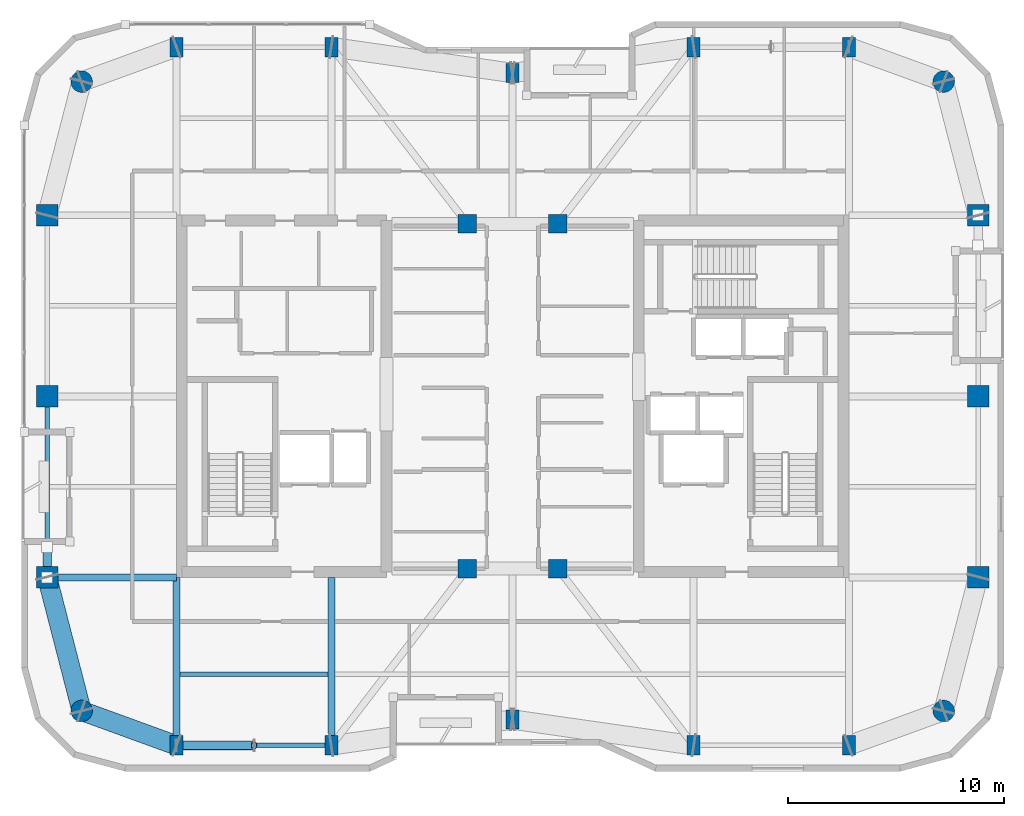
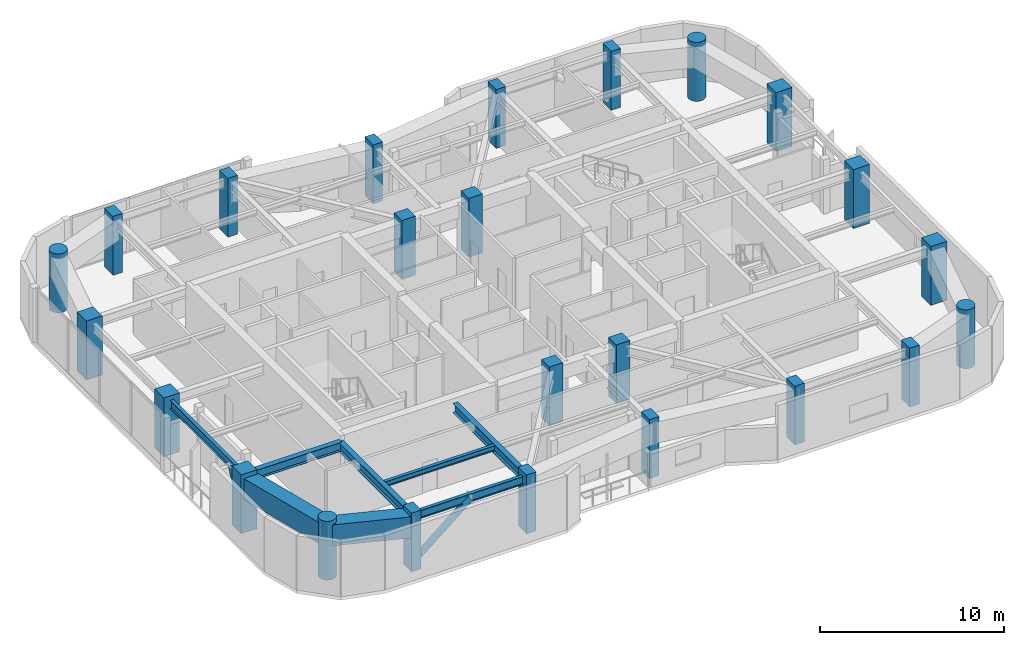
# One storey, part 1 of 15: 24 columns, 8 beams, 2 members.
"""IFC4 building model written with IfcOpenShell, lengths in metres."""

from ifc_helpers import new_model, si_unit, direction, frame, origin, origin_2d, place, context, subcontext, project, spatial, rectangle, hollow_rectangle, circle, hollow_circle, i_section, extrude, material, material_profile, profile_set, type_object, element, save


model = new_model("IFC4")

# Units and contexts
model_context = context("Model", 3, precision=1e-05, world=origin(), true_north=direction((0.0, 1.0)))
body_context = subcontext(model_context, "Body", "Model", "MODEL_VIEW")
ifc_project = project(units=[si_unit("LENGTHUNIT", "METRE"), si_unit("AREAUNIT", "SQUARE_METRE"), si_unit("VOLUMEUNIT", "CUBIC_METRE"), si_unit("PLANEANGLEUNIT", "RADIAN"), si_unit("MASSUNIT", "GRAM", prefix="KILO")], contexts=[model_context])

# Site, building, storey
site_placement = place(None, origin())
site = spatial("IfcSite", under=ifc_project, at=site_placement, CompositionType="ELEMENT")
building_placement = place(site_placement, origin())
building = spatial("IfcBuilding", under=site, at=building_placement, Name="Kiyonajd Concourse Tower", CompositionType="ELEMENT")
storey_placement = place(building_placement, frame((0.0, 0.0, 278.39990234375)))
storey = spatial("IfcBuildingStorey", under=building, at=storey_placement, Name="L70", CompositionType="ELEMENT", Elevation=278.39990234375)

# Columns
ifc_material_1 = material(Name="Concrete C60/75", Category="concrete")
ifc_material_profile_1 = material_profile(ifc_material_1, rectangle(XDim=0.60009765625, YDim=0.89990234375, at=origin_2d()), Name="RC-900x600")
ifc_profile_set_1 = profile_set([ifc_material_profile_1], Name="Concrete C60/75")
column_type_1 = type_object("IfcColumnType", Name="CL-BLADE-900", PredefinedType="COLUMN", material=ifc_profile_set_1)
for number, where, z_axis, x_axis, name in (
    (1, (32.39990234375, 19.800048828125, 0.0), (0.0, 0.0, 1.0), (1.0, 0.0, 0.0), "L70 Perimeter Bundled Tube Column"),
    (2, (32.39990234375, 52.199951171875, 0.0), (0.0, 0.0, 1.0), (1.0, 0.0, 0.0), "L70 Perimeter Bundled Tube Column"),
    (3, (39.60009765625, 19.800048828125, 0.0), (0.0, 0.0, 1.0), (1.0, 0.0, 0.0), "L70 Perimeter Bundled Tube Column"),
    (4, (39.60009765625, 52.199951171875, 0.0), (0.0, 0.0, 1.0), (1.0, 0.0, 0.0), "L70 Perimeter Bundled Tube Column"),
    (5, (48.0, 21.0, 0.0), (0.0, 0.0, 1.0), (1.0, 0.0, 0.0), "L70 Perimeter Bundled Tube Column"),
    (6, (48.0, 51.0, 0.0), (0.0, 0.0, 1.0), (1.0, 0.0, 0.0), "L70 Perimeter Bundled Tube Column"),
    (7, (56.39990234375, 19.800048828125, 0.0), (0.0, 0.0, 1.0), (1.0, 0.0, 0.0), "L70 Perimeter Bundled Tube Column"),
    (8, (56.39990234375, 52.199951171875, 0.0), (0.0, 0.0, 1.0), (1.0, 0.0, 0.0), "L70 Perimeter Bundled Tube Column"),
    (9, (63.60009765625, 19.800048828125, 0.0), (0.0, 0.0, 1.0), (1.0, 0.0, 0.0), "L70 Perimeter Bundled Tube Column"),
    (10, (63.60009765625, 52.199951171875, 0.0), (0.0, 0.0, 1.0), (1.0, 0.0, 0.0), "L70 Perimeter Bundled Tube Column"),
):
    element("IfcColumn", number, at=place(storey_placement, frame(where, z_axis=z_axis, x_axis=x_axis)), inside=storey, type_object=column_type_1, Name=name, PredefinedType="COLUMN", context=body_context, shape_type="SweptSolid", body=[
        extrude(rectangle(XDim=0.60009765625, YDim=0.89990234375, at=origin_2d()), origin(), (0.0, 0.0, 1.0), 3.900146484375),
    ])
ifc_material_profile_2 = material_profile(ifc_material_1, circle(Radius=0.5, at=origin_2d()), Name="RCC-D1000")
ifc_profile_set_2 = profile_set([ifc_material_profile_2], Name="Concrete C60/75")
column_type_2 = type_object("IfcColumnType", Name="CL-RND-1000", PredefinedType="COLUMN", material=ifc_profile_set_2)
for number, where, z_axis, x_axis, name in (
    (11, (28.0, 21.39990234375, 0.0), (0.0, 0.0, 1.0), (1.0, 0.0, 0.0), "L70 Bundled Tube Corner Column South West"),
    (12, (68.0, 21.39990234375, 0.0), (0.0, 0.0, 1.0), (1.0, 0.0, 0.0), "L70 Bundled Tube Corner Column South East"),
    (13, (68.0, 50.60009765625, 0.0), (0.0, 0.0, 1.0), (1.0, 0.0, 0.0), "L70 Bundled Tube Corner Column North East"),
    (14, (28.0, 50.60009765625, 0.0), (0.0, 0.0, 1.0), (1.0, 0.0, 0.0), "L70 Bundled Tube Corner Column North West"),
):
    element("IfcColumn", number, at=place(storey_placement, frame(where, z_axis=z_axis, x_axis=x_axis)), inside=storey, type_object=column_type_2, Name=name, PredefinedType="COLUMN", context=body_context, shape_type="SweptSolid", body=[
        extrude(circle(Radius=0.5, at=origin_2d()), origin(), (0.0, 0.0, 1.0), 3.900146484375),
    ])
ifc_material_profile_3 = material_profile(ifc_material_1, rectangle(XDim=1.0, YDim=1.0, at=origin_2d()), Name="RC-1000x1000")
ifc_profile_set_3 = profile_set([ifc_material_profile_3], Name="Concrete C60/75")
column_type_3 = type_object("IfcColumnType", Name="CL-TUBE-1000", PredefinedType="COLUMN", material=ifc_profile_set_3)
for number, where, z_axis, x_axis, name in (
    (15, (26.39990234375, 27.60009765625, 0.0), (0.0, 0.0, 1.0), (1.0, 0.0, 0.0), "L70 Perimeter Bundled Tube Column"),
    (16, (69.60009765625, 27.60009765625, 0.0), (0.0, 0.0, 1.0), (1.0, 0.0, 0.0), "L70 Perimeter Bundled Tube Column"),
    (17, (26.39990234375, 36.0, 0.0), (0.0, 0.0, 1.0), (1.0, 0.0, 0.0), "L70 Perimeter Bundled Tube Column"),
    (18, (69.60009765625, 36.0, 0.0), (0.0, 0.0, 1.0), (1.0, 0.0, 0.0), "L70 Perimeter Bundled Tube Column"),
    (19, (26.39990234375, 44.39990234375, 0.0), (0.0, 0.0, 1.0), (1.0, 0.0, 0.0), "L70 Perimeter Bundled Tube Column"),
    (20, (69.60009765625, 44.39990234375, 0.0), (0.0, 0.0, 1.0), (1.0, 0.0, 0.0), "L70 Perimeter Bundled Tube Column"),
):
    element("IfcColumn", number, at=place(storey_placement, frame(where, z_axis=z_axis, x_axis=x_axis)), inside=storey, type_object=column_type_3, Name=name, PredefinedType="COLUMN", context=body_context, shape_type="SweptSolid", body=[
        extrude(rectangle(XDim=1.0, YDim=1.0, at=origin_2d()), origin(), (0.0, 0.0, 1.0), 3.900146484375),
    ])
ifc_material_profile_4 = material_profile(ifc_material_1, rectangle(XDim=0.85009765625, YDim=0.85009765625, at=origin_2d()), Name="RC-850x850")
ifc_profile_set_4 = profile_set([ifc_material_profile_4], Name="Concrete C60/75")
column_type_4 = type_object("IfcColumnType", Name="CL-TUBE-850", PredefinedType="COLUMN", material=ifc_profile_set_4)
for number, where, z_axis, x_axis, name in (
    (21, (45.89990234375, 28.0, 0.0), (0.0, 0.0, 1.0), (1.0, 0.0, 0.0), "L70 Core Tie Column South West"),
    (22, (50.10009765625, 28.0, 0.0), (0.0, 0.0, 1.0), (1.0, 0.0, 0.0), "L70 Core Tie Column South East"),
    (23, (45.89990234375, 44.0, 0.0), (0.0, 0.0, 1.0), (1.0, 0.0, 0.0), "L70 Core Tie Column North West"),
    (24, (50.10009765625, 44.0, 0.0), (0.0, 0.0, 1.0), (1.0, 0.0, 0.0), "L70 Core Tie Column North East"),
):
    element("IfcColumn", number, at=place(storey_placement, frame(where, z_axis=z_axis, x_axis=x_axis)), inside=storey, type_object=column_type_4, Name=name, PredefinedType="COLUMN", context=body_context, shape_type="SweptSolid", body=[
        extrude(rectangle(XDim=0.85009765625, YDim=0.85009765625, at=origin_2d()), origin(), (0.0, 0.0, 1.0), 3.900146484375),
    ])

# Beams
ifc_material_2 = material(Name="Steel ASTM A992 Grade 50", Category="steel")
ifc_material_profile_5 = material_profile(ifc_material_2, i_section(OverallWidth=0.205078125, OverallDepth=0.35400390625, WebThickness=0.009521484375, FlangeThickness=0.016845703125, at=origin_2d()), Name="W360X79")
ifc_profile_set_5 = profile_set([ifc_material_profile_5], Name="Steel ASTM A992 Grade 50")
beam_type_1 = type_object("IfcBeamType", Name="BM-JST-360", PredefinedType="JOIST", material=ifc_profile_set_5)
beam_1_placement = place(storey_placement, frame((32.56201171875, 23.10009765625, 3.423095703125), z_axis=(1.0, 0.0, 0.0), x_axis=(0.0, 1.0, 0.0)))
element("IfcBeam", 25, at=beam_1_placement, inside=storey, type_object=beam_type_1, Name="L70 Secondary Floor Joist", PredefinedType="JOIST", context=body_context, shape_type="SweptSolid", body=[
    extrude(i_section(OverallWidth=0.205078125, OverallDepth=0.35400390625, WebThickness=0.009521484375, FlangeThickness=0.016845703125, at=origin_2d()), origin(), (0.0, 0.0, 1.0), 6.8759765625),
])
ifc_material_profile_6 = material_profile(ifc_material_2, i_section(OverallWidth=0.2109375, OverallDepth=0.5390625, WebThickness=0.01171875, FlangeThickness=0.018798828125, at=origin_2d()), Name="W530X109")
ifc_profile_set_6 = profile_set([ifc_material_profile_6], Name="Steel ASTM A992 Grade 50")
beam_type_2 = type_object("IfcBeamType", Name="BM-SPAN-530B", PredefinedType="SPANDREL", material=ifc_profile_set_6)
beam_2_placement = place(storey_placement, frame((32.39990234375, 19.800048828125, 3.33056640625), z_axis=(1.0, 0.0, 0.0), x_axis=(0.0, 1.0, 0.0)))
element("IfcBeam", 26, at=beam_2_placement, inside=storey, type_object=beam_type_2, Name="L70 Perimeter Bundled Tube Spandrel", PredefinedType="SPANDREL", context=body_context, shape_type="SweptSolid", body=[
    extrude(i_section(OverallWidth=0.2109375, OverallDepth=0.5390625, WebThickness=0.01171875, FlangeThickness=0.018798828125, at=origin_2d()), origin(), (0.0, 0.0, 1.0), 7.2001953125),
])
beam_3_placement = place(storey_placement, frame((26.39990234375, 36.0, 3.33056640625), z_axis=(0.0, -1.0, 0.0), x_axis=(1.0, 0.0, 0.0)))
element("IfcBeam", 27, at=beam_3_placement, inside=storey, type_object=beam_type_2, Name="L70 Perimeter Bundled Tube Spandrel", PredefinedType="SPANDREL", context=body_context, shape_type="SweptSolid", body=[
    extrude(i_section(OverallWidth=0.2109375, OverallDepth=0.5390625, WebThickness=0.01171875, FlangeThickness=0.018798828125, at=origin_2d()), origin(), (0.0, 0.0, 1.0), 8.39990234375),
])
ifc_material_profile_7 = material_profile(ifc_material_2, i_section(OverallWidth=0.323974609375, OverallDepth=0.611083984375, WebThickness=0.0126953125, FlangeThickness=0.01904296875, at=origin_2d()), Name="W610X155")
ifc_profile_set_7 = profile_set([ifc_material_profile_7], Name="Steel ASTM A992 Grade 50")
beam_type_3 = type_object("IfcBeamType", Name="BM-TWR-610B", PredefinedType="BEAM", material=ifc_profile_set_7)
for number, where, z_axis, x_axis, name in (
    (28, (32.39990234375, 19.800048828125, 3.294677734375), (0.0, 1.0, 0.0), (-1.0, 0.0, 0.0), "L70 South Lease Girder"),
    (29, (39.60009765625, 19.800048828125, 3.294677734375), (0.0, 1.0, 0.0), (-1.0, 0.0, 0.0), "L70 South Lease Girder"),
):
    element("IfcBeam", number, at=place(storey_placement, frame(where, z_axis=z_axis, x_axis=x_axis)), inside=storey, type_object=beam_type_3, Name=name, PredefinedType="BEAM", context=body_context, shape_type="SweptSolid", body=[
        extrude(i_section(OverallWidth=0.323974609375, OverallDepth=0.611083984375, WebThickness=0.0126953125, FlangeThickness=0.01904296875, at=origin_2d()), origin(), (0.0, 0.0, 1.0), 7.800048828125),
    ])
beam_4_placement = place(storey_placement, frame((26.39990234375, 27.60009765625, 3.294677734375), z_axis=(1.0, 0.0, 0.0), x_axis=(0.0, 1.0, 0.0)))
element("IfcBeam", 30, at=beam_4_placement, inside=storey, type_object=beam_type_3, Name="L70 West Lease Girder", PredefinedType="BEAM", context=body_context, shape_type="SweptSolid", body=[
    extrude(i_section(OverallWidth=0.323974609375, OverallDepth=0.611083984375, WebThickness=0.0126953125, FlangeThickness=0.01904296875, at=origin_2d()), origin(), (0.0, 0.0, 1.0), 6.0),
])
ifc_material_3 = material(Name="Steel ASTM A572 Grade 50", Category="steel")
ifc_material_profile_8 = material_profile(ifc_material_3, hollow_rectangle(XDim=0.89990234375, YDim=1.39990234375, WallThickness=0.070068359375, at=origin_2d()), Name="BOX-1400x900x70")
ifc_profile_set_8 = profile_set([ifc_material_profile_8], Name="Steel ASTM A572 Grade 50")
beam_type_4 = type_object("IfcBeamType", Name="BM-XFER-1400", PredefinedType="BEAM", material=ifc_profile_set_8)
beam_5_placement = place(storey_placement, frame((26.39990234375, 27.60009765625, 2.900146484375), z_axis=(0.249884937687, -0.968275538221, 0.0), x_axis=(0.968275538221, 0.249884937687, 0.0)))
element("IfcBeam", 31, at=beam_5_placement, inside=storey, type_object=beam_type_4, Name="L70 Perimeter Bundled Tube Spandrel", PredefinedType="BEAM", context=body_context, shape_type="SweptSolid", body=[
    extrude(hollow_rectangle(XDim=0.89990234375, YDim=1.39990234375, WallThickness=0.070068359375, at=origin_2d()), origin(), (0.0, 0.0, 1.0), 6.4033203125),
])
beam_6_placement = place(storey_placement, frame((28.0, 21.39990234375, 2.900146484375), z_axis=(0.939801036019, -0.341722127901, 0.0), x_axis=(0.341722127901, 0.939801036019, 0.0)))
element("IfcBeam", 32, at=beam_6_placement, inside=storey, type_object=beam_type_4, Name="L70 Perimeter Bundled Tube Spandrel", PredefinedType="BEAM", context=body_context, shape_type="SweptSolid", body=[
    extrude(hollow_rectangle(XDim=0.89990234375, YDim=1.39990234375, WallThickness=0.070068359375, at=origin_2d()), origin(), (0.0, 0.0, 1.0), 4.681640625),
])

# Members
ifc_material_4 = material(Name="Steel ASTM A500 Grade C", Category="steel")
ifc_material_profile_9 = material_profile(ifc_material_4, hollow_circle(Radius=0.202880859375, WallThickness=0.01904296875, at=origin_2d()), Name="CHS-406x19")
ifc_profile_set_9 = profile_set([ifc_material_profile_9], Name="Steel ASTM A500 Grade C")
member_type = type_object("IfcMemberType", Name="MB-PB-HIGH", PredefinedType="BRACE", material=ifc_profile_set_9)
member_1_placement = place(storey_placement, frame((32.39990234375, 19.800048828125, 0.300048828125), z_axis=(0.773492012438, 0.0, 0.633806048168), x_axis=(0.0, 1.0, 0.0)))
element("IfcMember", 33, at=member_1_placement, inside=storey, type_object=member_type, Name="L70 Upper Zone Hollow Tube Brace PBS", PredefinedType="BRACE", context=body_context, shape_type="SweptSolid", body=[
    extrude(hollow_circle(Radius=0.202880859375, WallThickness=0.01904296875, at=origin_2d()), origin(), (0.0, 0.0, 1.0), 4.654296875),
])
member_2_placement = place(storey_placement, frame((26.39990234375, 27.60009765625, 0.300048828125), z_axis=(0.0, 0.428725834465, 0.903434645595), x_axis=(-1.0, 0.0, 0.0)))
element("IfcMember", 34, at=member_2_placement, inside=storey, type_object=member_type, Name="L70 Upper Zone Hollow Tube Brace PBW", PredefinedType="BRACE", context=body_context, shape_type="SweptSolid", body=[
    extrude(hollow_circle(Radius=0.202880859375, WallThickness=0.01904296875, at=origin_2d()), origin(), (0.0, 0.0, 1.0), 3.265380859375),
])

save(model, "model.ifc")
